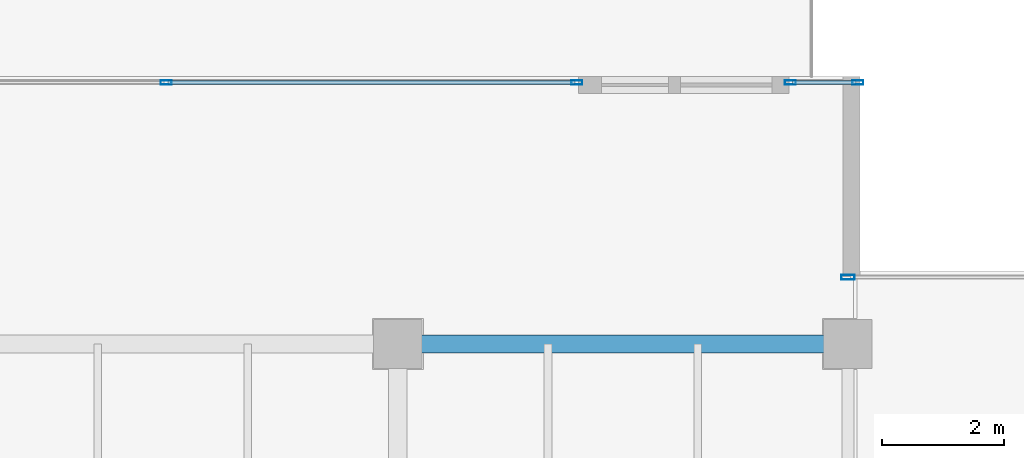
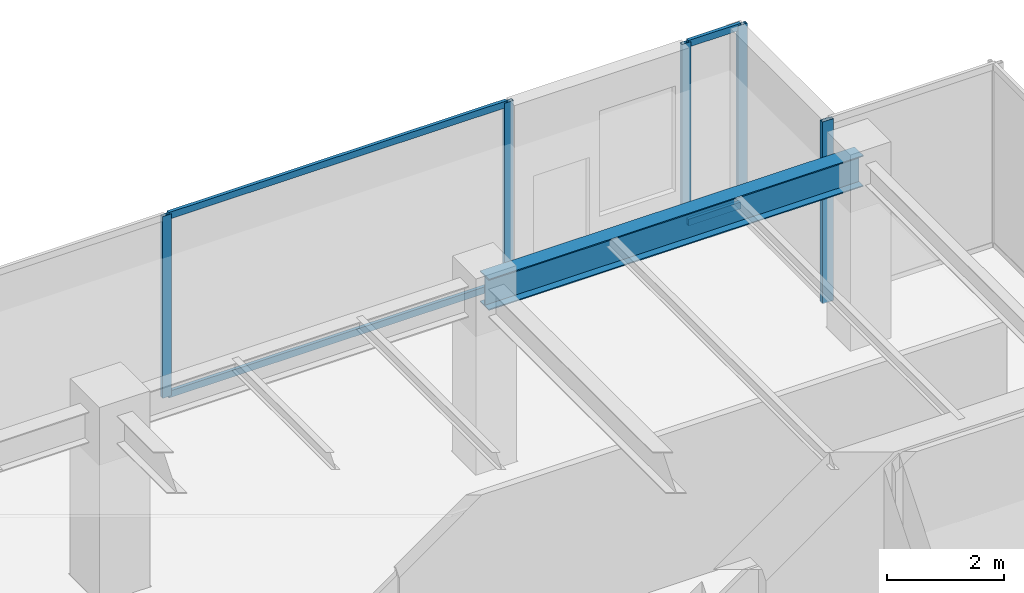
# One storey, part 21 of 35: 9 members, 1 beam, 3 elements without a shape of their own.
"""IFC4 building model written with IfcOpenShell, lengths in metres."""

from ifc_helpers import new_model, si_unit, direction, frame, origin, origin_2d, place, context, subcontext, project, spatial, hollow_rectangle, i_section, extrude, source, transform, mapped, material, layer, layer_set, material_profile, profile_set, type_object, type_shapes, element, aggregate, save


model = new_model("IFC4")

# Units and contexts
model_context = context("Model", 3, precision=1e-05, world=origin(), true_north=direction((0.0, 1.0)))
body_context = subcontext(model_context, "Body", "Model", "MODEL_VIEW")
ifc_project = project(units=[si_unit("LENGTHUNIT", "METRE"), si_unit("AREAUNIT", "SQUARE_METRE"), si_unit("VOLUMEUNIT", "CUBIC_METRE"), si_unit("PLANEANGLEUNIT", "RADIAN"), si_unit("MASSUNIT", "GRAM", prefix="KILO")], contexts=[model_context])

# Site, building, storey
site_placement = place(None, origin())
site = spatial("IfcSite", under=ifc_project, at=site_placement, CompositionType="ELEMENT")
building_placement = place(site_placement, origin())
building = spatial("IfcBuilding", under=site, at=building_placement, Name="Haelvirn Gate Laboratories", CompositionType="ELEMENT")
storey_placement = place(building_placement, frame((0.0, 0.0, 283.39990234375)))
storey = spatial("IfcBuildingStorey", under=building, at=storey_placement, Name="L68", CompositionType="ELEMENT", Elevation=283.39990234375)

# Beam
ifc_material_1 = material(Name="Steel SM355", Category="steel")
ifc_material_profile_1 = material_profile(ifc_material_1, i_section(OverallWidth=0.300048828125, OverallDepth=0.64990234375, WebThickness=0.012939453125, FlangeThickness=0.02197265625, at=origin_2d()), Name="H-650x300x13x22")
ifc_profile_set_1 = profile_set([ifc_material_profile_1], Name="Steel SM355")
beam_type = type_object("IfcBeamType", Name="BM-G-650", PredefinedType="BEAM", material=ifc_profile_set_1)
shared_shape_1 = source(origin(), body_context, "Body", "SweptSolid", [
    extrude(i_section(OverallWidth=0.300048828125, OverallDepth=0.64990234375, WebThickness=0.012939453125, FlangeThickness=0.02197265625, at=origin_2d()), origin(), (0.0, 0.0, 1.0), 7.39990234375),
])
type_shapes(beam_type, [shared_shape_1])
beam_placement = place(storey_placement, frame((60.0, 41.60009765625, 3.47509765625), z_axis=(1.0, 0.0, 0.0), x_axis=(0.0, 1.0, 0.0)))
element("IfcBeam", 1, at=beam_placement, inside=storey, type_object=beam_type, Name="L68 Primary Girder Y41.6 (60.0-67.4)", PredefinedType="BEAM", context=body_context, shape_type="MappedRepresentation", body=[
    mapped(shared_shape_1, transform((0.0, 0.0, 0.0), scale=1.0)),
])

# Curtain wall, members
ifc_material_2 = material(Name="Anodised bronze unitised aluminium & triple low-E glass", Category="aluminium")
ifc_layer_1 = layer(ifc_material_2, 0.176025390625, Name="CW-SYS-4")
ifc_layer_set_1 = layer_set([ifc_layer_1], Name="Anodised bronze unitised aluminium & triple low-E glass")
curtain_wall_type_1 = type_object("IfcCurtainWallType", Name="CW-SYS-4", PredefinedType="NOTDEFINED", material=ifc_layer_set_1)
curtain_wall_1_placement = place(storey_placement, origin())
curtain_wall_1 = element("IfcCurtainWall", 2, at=curtain_wall_1_placement, inside=storey, type_object=curtain_wall_type_1, Name="L68 Unitised Curtain Wall CW-L68-P0-E10-1", PredefinedType="NOTDEFINED")
ifc_material_3 = material(Name="Extruded aluminium 6063-T6 (anodised bronze)", Category="aluminium")
ifc_material_profile_2 = material_profile(ifc_material_3, hollow_rectangle(XDim=0.070068359375, YDim=0.179931640625, WallThickness=0.0048828125, at=origin_2d()), Name="CWM-180x70x5")
ifc_profile_set_2 = profile_set([ifc_material_profile_2], Name="Extruded aluminium 6063-T6 (anodised bronze)")
member_type_1 = type_object("IfcMemberType", Name="CWM-T180", PredefinedType="MULLION", material=ifc_profile_set_2)
shared_shape_2 = source(origin(), body_context, "Body", "SweptSolid", [
    extrude(hollow_rectangle(XDim=0.070068359375, YDim=0.179931640625, WallThickness=0.0048828125, at=origin_2d()), origin(), (0.0, 0.0, 1.0), 3.800048828125),
])
type_shapes(member_type_1, [shared_shape_2])
member_1_placement = place(storey_placement, frame((56.18994140625, 45.89990234375, 0.0), z_axis=(0.0, 0.0, 1.0), x_axis=(0.0, 1.0, 0.0)))
member_1 = element("IfcMember", 3, at=member_1_placement, type_object=member_type_1, Name="CW4 mullion 2", PredefinedType="MULLION", context=body_context, shape_type="MappedRepresentation", body=[
    mapped(shared_shape_2, transform((0.0, 0.0, 0.0), scale=1.0)),
])
member_2_placement = place(storey_placement, frame((62.945068359375, 45.89990234375, 0.0), z_axis=(0.0, 0.0, 1.0), x_axis=(0.0, 1.0, 0.0)))
member_2 = element("IfcMember", 4, at=member_2_placement, type_object=member_type_1, Name="CW4 mullion 3", PredefinedType="MULLION", context=body_context, shape_type="MappedRepresentation", body=[
    mapped(shared_shape_2, transform((0.0, 0.0, 0.0), scale=1.0)),
])

curtain_wall_2_placement = place(storey_placement, origin())
curtain_wall_2 = element("IfcCurtainWall", 5, at=curtain_wall_2_placement, inside=storey, type_object=curtain_wall_type_1, Name="L68 Unitised Curtain Wall CW-L68-P0-E10-2", PredefinedType="NOTDEFINED")
member_3_placement = place(storey_placement, frame((66.455078125, 45.89990234375, 0.0), z_axis=(0.0, 0.0, 1.0), x_axis=(0.0, 1.0, 0.0)))
member_3 = element("IfcMember", 6, at=member_3_placement, type_object=member_type_1, Name="CW4 mullion 1", PredefinedType="MULLION", context=body_context, shape_type="MappedRepresentation", body=[
    mapped(shared_shape_2, transform((0.0, 0.0, 0.0), scale=1.0)),
])
member_4_placement = place(storey_placement, frame((67.56494140625, 45.89990234375, 0.0), z_axis=(0.0, 0.0, 1.0), x_axis=(0.0, 1.0, 0.0)))
member_4 = element("IfcMember", 7, at=member_4_placement, type_object=member_type_1, Name="CW4 mullion 2", PredefinedType="MULLION", context=body_context, shape_type="MappedRepresentation", body=[
    mapped(shared_shape_2, transform((0.0, 0.0, 0.0), scale=1.0)),
])

# Curtain wall, member
ifc_layer_2 = layer(ifc_material_2, 0.181884765625, Name="CW-SYS-5")
ifc_layer_set_2 = layer_set([ifc_layer_2], Name="Anodised bronze unitised aluminium & triple low-E glass")
curtain_wall_type_2 = type_object("IfcCurtainWallType", Name="CW-SYS-5", PredefinedType="NOTDEFINED", material=ifc_layer_set_2)
curtain_wall_3_placement = place(storey_placement, origin())
curtain_wall_3 = element("IfcCurtainWall", 8, at=curtain_wall_3_placement, inside=storey, type_object=curtain_wall_type_2, Name="L68 Unitised Curtain Wall CW-L68-P0-E08-1", PredefinedType="NOTDEFINED")
ifc_material_profile_3 = material_profile(ifc_material_3, hollow_rectangle(XDim=0.080078125, YDim=0.219970703125, WallThickness=0.006103515625, at=origin_2d()), Name="CWM-220x80x6")
ifc_profile_set_3 = profile_set([ifc_material_profile_3], Name="Extruded aluminium 6063-T6 (anodised bronze)")
member_type_2 = type_object("IfcMemberType", Name="CWM-T220", PredefinedType="MULLION", material=ifc_profile_set_3)
shared_shape_3 = source(origin(), body_context, "Body", "SweptSolid", [
    extrude(hollow_rectangle(XDim=0.080078125, YDim=0.219970703125, WallThickness=0.006103515625, at=origin_2d()), origin(), (0.0, 0.0, 1.0), 3.800048828125),
])
type_shapes(member_type_2, [shared_shape_3])
member_5_placement = place(storey_placement, frame((67.39990234375, 42.699951171875, 0.0), z_axis=(0.0, 0.0, 1.0), x_axis=(0.0, 1.0, 0.0)))
member_5 = element("IfcMember", 9, at=member_5_placement, type_object=member_type_2, Name="CW5 mullion 1", PredefinedType="MULLION", context=body_context, shape_type="MappedRepresentation", body=[
    mapped(shared_shape_3, transform((0.0, 0.0, 0.0), scale=1.0)),
])
aggregate(curtain_wall_3, [member_5])

# Member
ifc_material_profile_4 = material_profile(ifc_material_3, hollow_rectangle(XDim=0.06494140625, YDim=0.139892578125, WallThickness=0.00390625, at=origin_2d()), Name="CWT-140x65x4")
ifc_profile_set_4 = profile_set([ifc_material_profile_4], Name="Extruded aluminium 6063-T6 (anodised bronze)")
member_type_3 = type_object("IfcMemberType", Name="CWT-T140", PredefinedType="USERDEFINED", material=ifc_profile_set_4)
shared_shape_4 = source(origin(), body_context, "Body", "SweptSolid", [
    extrude(hollow_rectangle(XDim=0.06494140625, YDim=0.139892578125, WallThickness=0.00390625, at=origin_2d()), origin(), (0.0, 0.0, 1.0), 6.684814453125),
])
member_6_placement = place(storey_placement, frame((56.22509765625, 45.89990234375, 0.03271484375), z_axis=(1.0, 0.0, 0.0), x_axis=(0.0, 1.0, 0.0)))
member_6 = element("IfcMember", 10, at=member_6_placement, type_object=member_type_3, Name="CW4 transom 2.1", ObjectType="TRANSOM", PredefinedType="USERDEFINED", context=body_context, shape_type="MappedRepresentation", body=[
    mapped(shared_shape_4, transform((0.0, 0.0, 0.0), scale=1.0)),
])

member_7_placement = place(storey_placement, frame((56.22509765625, 45.89990234375, 3.767578125), z_axis=(1.0, 0.0, 0.0), x_axis=(0.0, 1.0, 0.0)))
member_7 = element("IfcMember", 11, at=member_7_placement, type_object=member_type_3, Name="CW4 transom 2.2", ObjectType="TRANSOM", PredefinedType="USERDEFINED", context=body_context, shape_type="MappedRepresentation", body=[
    mapped(shared_shape_4, transform((0.0, 0.0, 0.0), scale=1.0)),
])

aggregate(curtain_wall_1, [member_1, member_2, member_6, member_7])

shared_shape_5 = source(origin(), body_context, "Body", "SweptSolid", [
    extrude(hollow_rectangle(XDim=0.06494140625, YDim=0.139892578125, WallThickness=0.00390625, at=origin_2d()), origin(), (0.0, 0.0, 1.0), 1.0400390625),
])
type_shapes(member_type_3, [shared_shape_4, shared_shape_5])
member_8_placement = place(storey_placement, frame((66.489990234375, 45.89990234375, 0.03271484375), z_axis=(1.0, 0.0, 0.0), x_axis=(0.0, 1.0, 0.0)))
member_8 = element("IfcMember", 12, at=member_8_placement, type_object=member_type_3, Name="CW4 transom 1.1", ObjectType="TRANSOM", PredefinedType="USERDEFINED", context=body_context, shape_type="MappedRepresentation", body=[
    mapped(shared_shape_5, transform((0.0, 0.0, 0.0), scale=1.0)),
])

member_9_placement = place(storey_placement, frame((66.489990234375, 45.89990234375, 3.767578125), z_axis=(1.0, 0.0, 0.0), x_axis=(0.0, 1.0, 0.0)))
member_9 = element("IfcMember", 13, at=member_9_placement, type_object=member_type_3, Name="CW4 transom 1.2", ObjectType="TRANSOM", PredefinedType="USERDEFINED", context=body_context, shape_type="MappedRepresentation", body=[
    mapped(shared_shape_5, transform((0.0, 0.0, 0.0), scale=1.0)),
])

aggregate(curtain_wall_2, [member_3, member_4, member_8, member_9])

save(model, "model.ifc")
